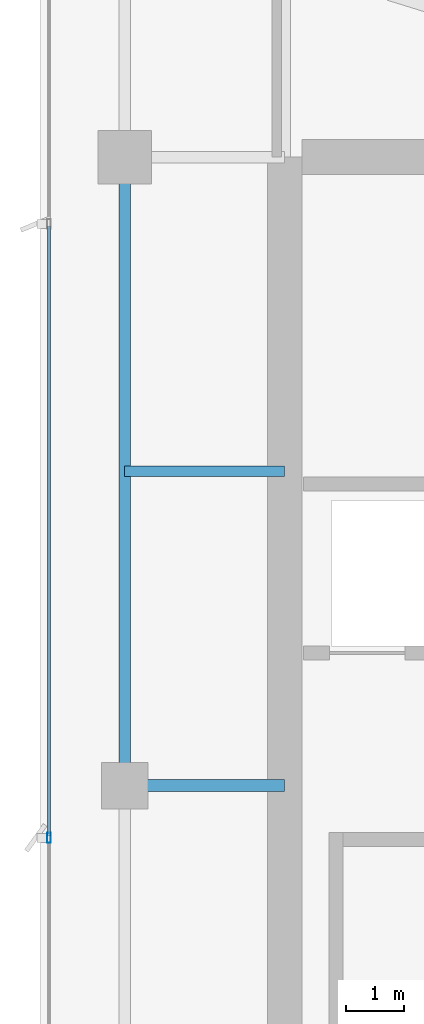
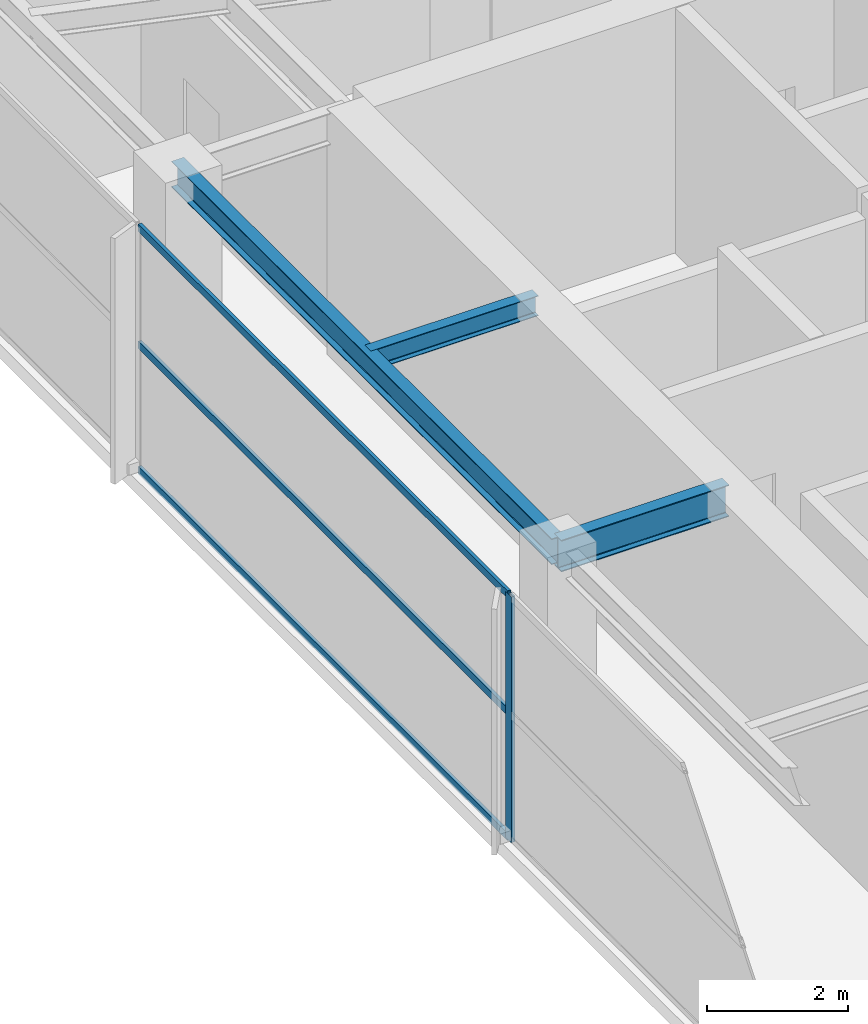
# One storey, part 9 of 25: 4 members, 3 beams, 1 element without a shape of its own.
"""IFC4 building model written with IfcOpenShell, lengths in metres."""

from ifc_helpers import new_model, si_unit, direction, frame, origin, origin_2d, place, context, subcontext, project, spatial, hollow_rectangle, i_section, extrude, material, layer, layer_set, material_profile, profile_set, type_object, element, aggregate, save


model = new_model("IFC4")

# Units and contexts
model_context = context("Model", 3, precision=1e-05, world=origin(), true_north=direction((0.0, 1.0)))
body_context = subcontext(model_context, "Body", "Model", "MODEL_VIEW")
ifc_project = project(units=[si_unit("LENGTHUNIT", "METRE"), si_unit("AREAUNIT", "SQUARE_METRE"), si_unit("VOLUMEUNIT", "CUBIC_METRE"), si_unit("PLANEANGLEUNIT", "RADIAN"), si_unit("MASSUNIT", "GRAM", prefix="KILO")], contexts=[model_context])

# Site, building, storey
site_placement = place(None, origin())
site = spatial("IfcSite", under=ifc_project, at=site_placement, CompositionType="ELEMENT")
building_placement = place(site_placement, origin())
building = spatial("IfcBuilding", under=site, at=building_placement, Name="Calvorn Quay Hotel", CompositionType="ELEMENT")
storey_placement = place(building_placement, frame((0.0, 0.0, 316.0)))
storey = spatial("IfcBuildingStorey", under=building, at=storey_placement, Name="L78", CompositionType="ELEMENT", Elevation=316.0)

# Beams
ifc_material_1 = material(Name="Steel Q355B", Category="steel")
ifc_material_profile_1 = material_profile(ifc_material_1, i_section(OverallWidth=0.199951171875, OverallDepth=0.550048828125, WebThickness=0.010009765625, FlangeThickness=0.01611328125, FilletRadius=0.01806640625, at=origin_2d()), Name="HN550x200x10x16")
ifc_profile_set_1 = profile_set([ifc_material_profile_1], Name="Steel Q355B")
beam_type_1 = type_object("IfcBeamType", Name="BM-GIRD-UPP", PredefinedType="BEAM", material=ifc_profile_set_1)
beam_1_placement = place(storey_placement, frame((1.449951171875, 27.60009765625, 3.965087890625), z_axis=(1.0, 0.0, 0.0), x_axis=(0.0, 1.0, 0.0)))
element("IfcBeam", 1, at=beam_1_placement, inside=storey, type_object=beam_type_1, Name="Beam BG-L78-W2", PredefinedType="BEAM", context=body_context, shape_type="SweptSolid", body=[
    extrude(i_section(OverallWidth=0.199951171875, OverallDepth=0.550048828125, WebThickness=0.010009765625, FlangeThickness=0.01611328125, FilletRadius=0.01806640625, at=origin_2d()), origin(), (0.0, 0.0, 1.0), 2.75),
])
ifc_material_2 = material(Name="Steel Q355B", Category="steel")
ifc_material_profile_2 = material_profile(ifc_material_2, i_section(OverallWidth=0.175048828125, OverallDepth=0.35009765625, WebThickness=0.007080078125, FlangeThickness=0.010986328125, FilletRadius=0.013916015625, at=origin_2d()), Name="HN350x175x7x11")
ifc_profile_set_2 = profile_set([ifc_material_profile_2], Name="Steel Q355B")
beam_type_2 = type_object("IfcBeamType", Name="BM-JOIST-SEC", PredefinedType="JOIST", material=ifc_profile_set_2)
beam_2_placement = place(storey_placement, frame((1.449951171875, 33.0, 4.06494140625), z_axis=(1.0, 0.0, 0.0), x_axis=(0.0, 1.0, 0.0)))
element("IfcBeam", 2, at=beam_2_placement, inside=storey, type_object=beam_type_2, Name="Beam BJ-L78-W4", PredefinedType="JOIST", context=body_context, shape_type="SweptSolid", body=[
    extrude(i_section(OverallWidth=0.175048828125, OverallDepth=0.35009765625, WebThickness=0.007080078125, FlangeThickness=0.010986328125, FilletRadius=0.013916015625, at=origin_2d()), origin(), (0.0, 0.0, 1.0), 2.75),
])
ifc_material_3 = material(Name="Steel Q355B", Category="steel")
ifc_material_profile_3 = material_profile(ifc_material_3, i_section(OverallWidth=0.199951171875, OverallDepth=0.449951171875, WebThickness=0.009033203125, FlangeThickness=0.013916015625, FilletRadius=0.01611328125, at=origin_2d()), Name="HN450x200x9x14")
ifc_profile_set_3 = profile_set([ifc_material_profile_3], Name="Steel Q355B")
beam_type_3 = type_object("IfcBeamType", Name="BM-SPANDREL-Z3", PredefinedType="SPANDREL", material=ifc_profile_set_3)
beam_3_placement = place(storey_placement, frame((1.449951171875, 27.60009765625, 4.014892578125), z_axis=(0.0, 1.0, 0.0), x_axis=(-1.0, 0.0, 0.0)))
element("IfcBeam", 3, at=beam_3_placement, inside=storey, type_object=beam_type_3, Name="Beam BSP-L78-W3", PredefinedType="SPANDREL", context=body_context, shape_type="SweptSolid", body=[
    extrude(i_section(OverallWidth=0.199951171875, OverallDepth=0.449951171875, WebThickness=0.009033203125, FlangeThickness=0.013916015625, FilletRadius=0.01611328125, at=origin_2d()), origin(), (0.0, 0.0, 1.0), 10.7998046875),
])

# Curtain wall, members
ifc_material_4 = material(Name="Champagne Bronze Anodised Aluminium and Low-E Glass", Category="aluminium")
ifc_layer = layer(ifc_material_4, 0.219970703125)
ifc_layer_set = layer_set([ifc_layer], Name="CW-SYS-Z4")
curtain_wall_type = type_object("IfcCurtainWallType", Name="CW-SYS-Z4", PredefinedType="NOTDEFINED", material=ifc_layer_set)
curtain_wall_placement = place(storey_placement, origin())
curtain_wall = element("IfcCurtainWall", 4, at=curtain_wall_placement, inside=storey, type_object=curtain_wall_type, Name="Tower West Curtain Wall (L78)", PredefinedType="NOTDEFINED")
ifc_material_5 = material(Name="Champagne Bronze Anodised Aluminium 6063-T6", Category="aluminium")
ifc_material_profile_4 = material_profile(ifc_material_5, hollow_rectangle(XDim=0.06494140625, YDim=0.169921875, WallThickness=0.00341796875, at=origin_2d()), Name="ALU-M170x65x3.5")
ifc_profile_set_4 = profile_set([ifc_material_profile_4], Name="Champagne Bronze Anodised Aluminium 6063-T6")
member_type_1 = type_object("IfcMemberType", Name="CW-SYS-Z4-MUL", PredefinedType="MULLION", material=ifc_profile_set_4)
member_1_placement = place(storey_placement, frame((0.14990234375, 26.699951171875, 0.0), z_axis=(0.0, 0.0, 1.0), x_axis=(-1.0, 0.0, 0.0)))
member_1 = element("IfcMember", 5, at=member_1_placement, type_object=member_type_1, Name="CW-L78-W mullion 3", PredefinedType="MULLION", context=body_context, shape_type="SweptSolid", body=[
    extrude(hollow_rectangle(XDim=0.06494140625, YDim=0.169921875, WallThickness=0.00341796875, at=origin_2d()), origin(), (0.0, 0.0, 1.0), 4.260009765625),
])
ifc_material_6 = material(Name="Champagne Bronze Anodised Aluminium 6063-T6", Category="aluminium")
ifc_material_profile_5 = material_profile(ifc_material_6, hollow_rectangle(XDim=0.054931640625, YDim=0.1298828125, WallThickness=0.003173828125, at=origin_2d()), Name="ALU-T130x55x3.2")
ifc_profile_set_5 = profile_set([ifc_material_profile_5], Name="Champagne Bronze Anodised Aluminium 6063-T6")
member_type_2 = type_object("IfcMemberType", Name="CW-SYS-Z4-TRN", PredefinedType="USERDEFINED", material=ifc_profile_set_5)
member_2_placement = place(storey_placement, frame((0.14990234375, 26.72998046875, 0.030029296875), z_axis=(0.0, 1.0, 0.0), x_axis=(-1.0, 0.0, 0.0)))
member_2 = element("IfcMember", 6, at=member_2_placement, type_object=member_type_2, Name="CW-L78-W transom 3.1", ObjectType="TRANSOM", PredefinedType="USERDEFINED", context=body_context, shape_type="SweptSolid", body=[
    extrude(hollow_rectangle(XDim=0.054931640625, YDim=0.1298828125, WallThickness=0.003173828125, at=origin_2d()), origin(), (0.0, 0.0, 1.0), 10.489990234375),
])
member_3_placement = place(storey_placement, frame((0.14990234375, 26.72998046875, 2.199951171875), z_axis=(0.0, 1.0, 0.0), x_axis=(-1.0, 0.0, 0.0)))
member_3 = element("IfcMember", 7, at=member_3_placement, type_object=member_type_2, Name="CW-L78-W transom 3.2", ObjectType="TRANSOM", PredefinedType="USERDEFINED", context=body_context, shape_type="SweptSolid", body=[
    extrude(hollow_rectangle(XDim=0.054931640625, YDim=0.1298828125, WallThickness=0.003173828125, at=origin_2d()), origin(), (0.0, 0.0, 1.0), 10.489990234375),
])
member_4_placement = place(storey_placement, frame((0.14990234375, 26.72998046875, 4.22998046875), z_axis=(0.0, 1.0, 0.0), x_axis=(-1.0, 0.0, 0.0)))
member_4 = element("IfcMember", 8, at=member_4_placement, type_object=member_type_2, Name="CW-L78-W transom 3.3", ObjectType="TRANSOM", PredefinedType="USERDEFINED", context=body_context, shape_type="SweptSolid", body=[
    extrude(hollow_rectangle(XDim=0.054931640625, YDim=0.1298828125, WallThickness=0.003173828125, at=origin_2d()), origin(), (0.0, 0.0, 1.0), 10.489990234375),
])
aggregate(curtain_wall, [member_1, member_2, member_3, member_4])

save(model, "model.ifc")
